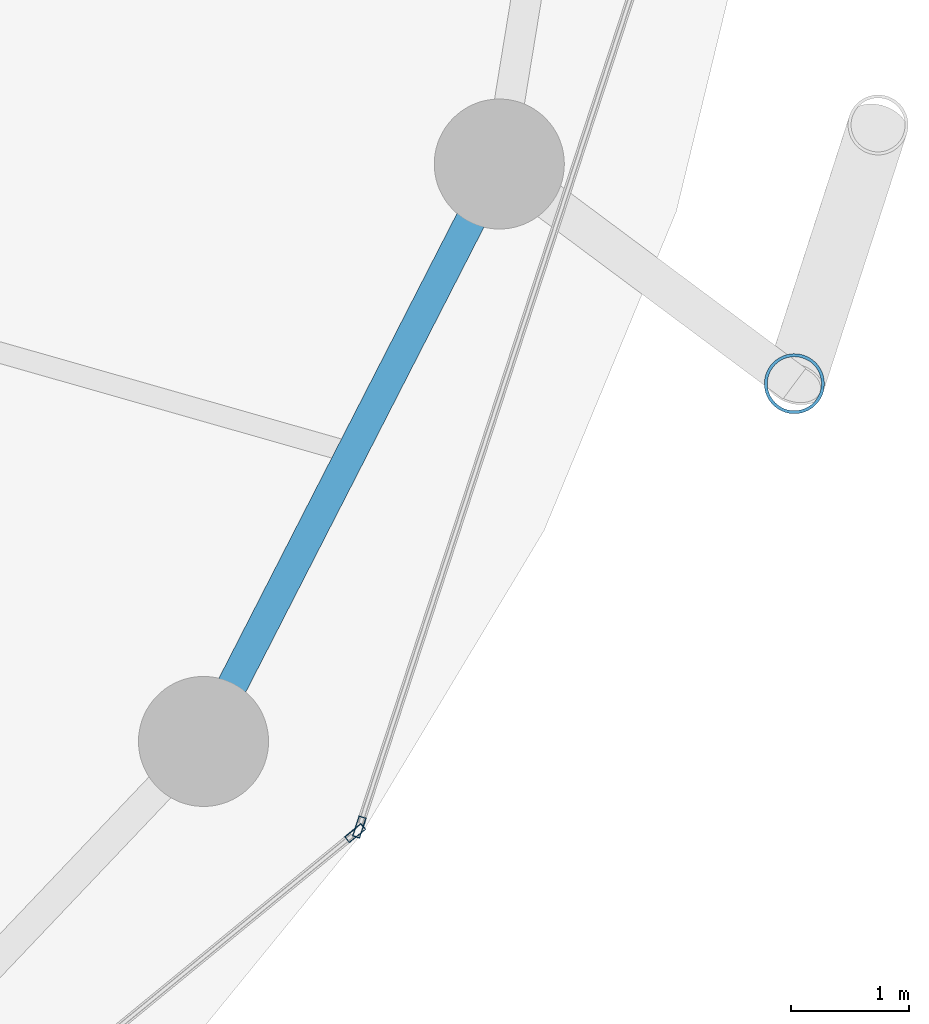
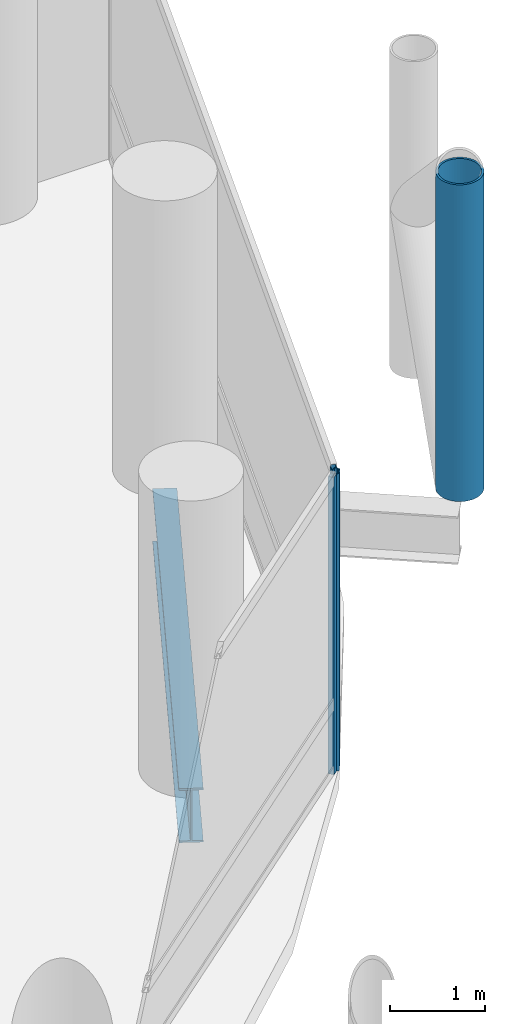
# One storey, part 10 of 26: 3 members, 1 beam, 2 elements without a shape of their own.
"""IFC4 building model written with IfcOpenShell, lengths in metres."""

from ifc_helpers import new_model, si_unit, direction, frame, origin, origin_2d, place, context, subcontext, project, spatial, hollow_rectangle, hollow_circle, i_section, extrude, material, layer, layer_set, material_profile, profile_set, type_object, element, aggregate, save


model = new_model("IFC4")

# Units and contexts
model_context = context("Model", 3, precision=1e-05, world=origin(), true_north=direction((0.0, 1.0)))
body_context = subcontext(model_context, "Body", "Model", "MODEL_VIEW")
ifc_project = project(units=[si_unit("LENGTHUNIT", "METRE"), si_unit("AREAUNIT", "SQUARE_METRE"), si_unit("VOLUMEUNIT", "CUBIC_METRE"), si_unit("PLANEANGLEUNIT", "RADIAN"), si_unit("MASSUNIT", "GRAM", prefix="KILO")], contexts=[model_context])

# Site, building, storey
site_placement = place(None, origin())
site = spatial("IfcSite", under=ifc_project, at=site_placement, CompositionType="ELEMENT")
building_placement = place(site_placement, origin())
building = spatial("IfcBuilding", under=site, at=building_placement, Name="Nuhasar Tower", CompositionType="ELEMENT")
storey_placement = place(building_placement, frame((0.0, 0.0, 53.39990234375)))
storey = spatial("IfcBuildingStorey", under=building, at=storey_placement, Name="L12", CompositionType="ELEMENT", Elevation=53.39990234375)

# Beam
ifc_material_1 = material(Name="Steel S355", Category="steel")
ifc_material_profile_1 = material_profile(ifc_material_1, i_section(OverallWidth=0.256103515625, OverallDepth=0.693115234375, WebThickness=0.014404296875, FlangeThickness=0.023681640625, at=origin_2d()), Name="W27X114")
ifc_profile_set_1 = profile_set([ifc_material_profile_1], Name="Steel S355")
beam_type = type_object("IfcBeamType", Name="BM-RING-W27X114", PredefinedType="SPANDREL", material=ifc_profile_set_1)
beam_placement = place(storey_placement, frame((60.694091796875, 16.675048828125, -0.60595703125), z_axis=(0.455930023905, 0.890015625314, 0.0), x_axis=(-0.890015625314, 0.455930023905, 0.0)))
element("IfcBeam", 1, at=beam_placement, inside=storey, type_object=beam_type, Name="L12 Perimeter Ring Spandrel 23", PredefinedType="SPANDREL", context=body_context, shape_type="SweptSolid", body=[
    extrude(i_section(OverallWidth=0.256103515625, OverallDepth=0.693115234375, WebThickness=0.014404296875, FlangeThickness=0.023681640625, at=origin_2d()), origin(), (0.0, 0.0, 1.0), 5.487548828125),
])

# Curtain wall, member
ifc_material_2 = material(Name="Aluminium 6063-T6", Category="aluminium")
ifc_layer = layer(ifc_material_2, 0.199951171875)
ifc_layer_set = layer_set([ifc_layer], Name="Aluminium 6063-T6")
curtain_wall_type = type_object("IfcCurtainWallType", Name="CW-Z1-OFF", PredefinedType="NOTDEFINED", material=ifc_layer_set)
curtain_wall_1_placement = place(storey_placement, origin())
curtain_wall_1 = element("IfcCurtainWall", 2, at=curtain_wall_1_placement, inside=storey, type_object=curtain_wall_type, Name="L12 Unitised Curtain Wall 11", PredefinedType="NOTDEFINED")
ifc_material_profile_2 = material_profile(ifc_material_2, hollow_rectangle(XDim=0.06494140625, YDim=0.179931640625, WallThickness=0.0048828125, at=origin_2d()), Name="CWM-2")
ifc_profile_set_2 = profile_set([ifc_material_profile_2], Name="Aluminium 6063-T6")
member_type_1 = type_object("IfcMemberType", Name="CW-MUL-S2", PredefinedType="MULLION", material=ifc_profile_set_2)
member_1_placement = place(storey_placement, frame((61.976806640625, 15.8994140625, 0.0), z_axis=(0.0, 0.0, 1.0), x_axis=(-0.633744593376, 0.773542364946, 0.0)))
member_1 = element("IfcMember", 3, at=member_1_placement, type_object=member_type_1, Name="CW-Z1 mullion 2", PredefinedType="MULLION", context=body_context, shape_type="SweptSolid", body=[
    extrude(hollow_rectangle(XDim=0.06494140625, YDim=0.179931640625, WallThickness=0.0048828125, at=origin_2d()), origin(), (0.0, 0.0, 1.0), 3.800048828125),
])
aggregate(curtain_wall_1, [member_1])

curtain_wall_2_placement = place(storey_placement, origin())
curtain_wall_2 = element("IfcCurtainWall", 4, at=curtain_wall_2_placement, inside=storey, type_object=curtain_wall_type, Name="L12 Unitised Curtain Wall 12", PredefinedType="NOTDEFINED")
member_2_placement = place(storey_placement, frame((62.01220703125, 15.950927734375, 0.0), z_axis=(0.0, 0.0, 1.0), x_axis=(-0.950467534571, 0.310823849997, 0.0)))
member_2 = element("IfcMember", 5, at=member_2_placement, type_object=member_type_1, Name="CW-Z1 mullion 1", PredefinedType="MULLION", context=body_context, shape_type="SweptSolid", body=[
    extrude(hollow_rectangle(XDim=0.06494140625, YDim=0.179931640625, WallThickness=0.0048828125, at=origin_2d()), origin(), (0.0, 0.0, 1.0), 3.800048828125),
])
aggregate(curtain_wall_2, [member_2])

# Member
ifc_material_3 = material(Name="Steel S460", Category="steel")
ifc_material_profile_3 = material_profile(ifc_material_3, hollow_circle(Radius=0.25390625, WallThickness=0.025390625, at=origin_2d()), Name="HSS508X25.4")
ifc_profile_set_3 = profile_set([ifc_material_profile_3], Name="Steel S460")
member_type_2 = type_object("IfcMemberType", Name="EXO-BRONZE-508", PredefinedType="BRACE", material=ifc_profile_set_3)
member_3_placement = place(storey_placement, frame((65.69189453125, 19.700927734375, 0.0), z_axis=(0.0, 0.0, 1.0), x_axis=(1.0, 0.0, 0.0)))
element("IfcMember", 6, at=member_3_placement, inside=storey, type_object=member_type_2, Name="L12 Exoskeleton Chord Column EC-12A", PredefinedType="BRACE", context=body_context, shape_type="SweptSolid", body=[
    extrude(hollow_circle(Radius=0.25390625, WallThickness=0.025390625, at=origin_2d()), origin(), (0.0, 0.0, 1.0), 4.050048828125),
])

save(model, "model.ifc")
